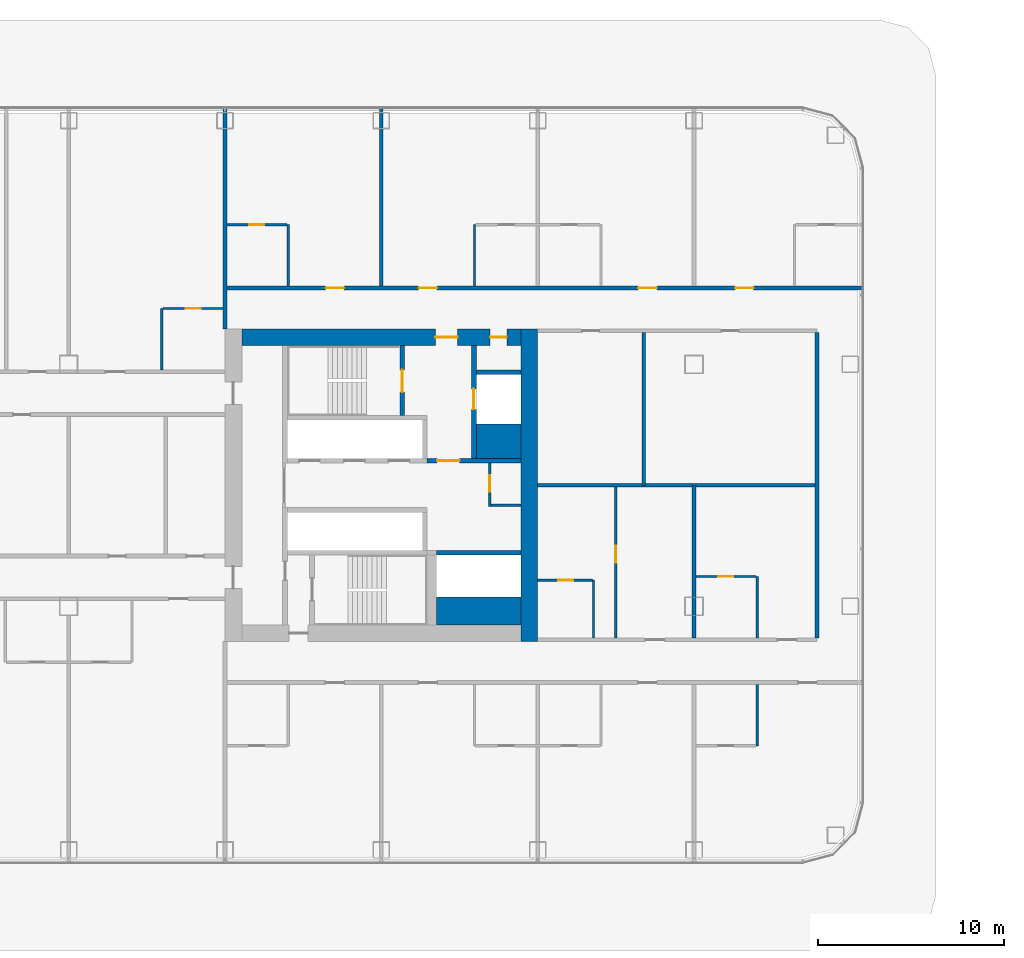
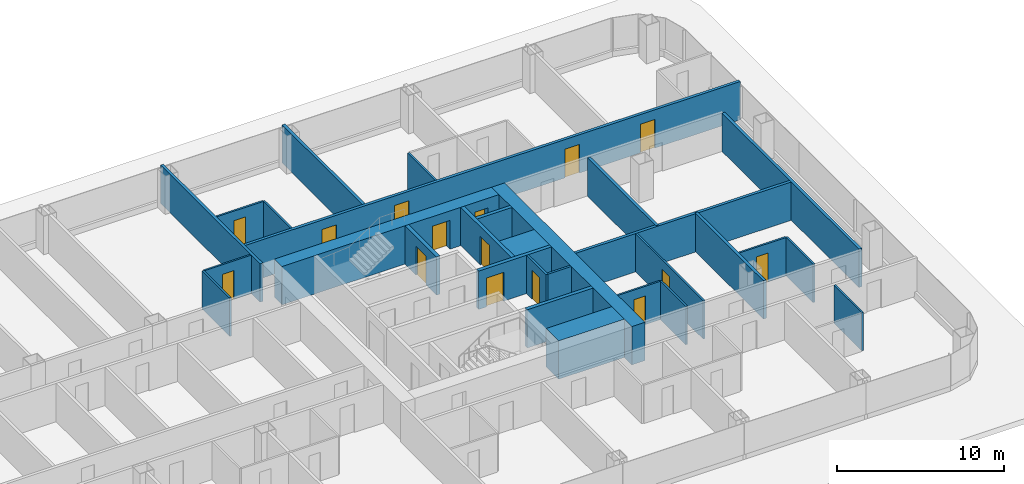
# One storey, part 26 of 42: 29 walls, 15 doors, 15 openings.
"""IFC4 building model written with IfcOpenShell, lengths in metres."""

import ifcopenshell
import ifcopenshell.guid

model = None  # the IFC model being written
_history = None  # IfcOwnerHistory: only IFC2X3 demands one
_inside = {}  # id of a spatial element -> (the spatial element, [elements in it])
_under = {}  # id of a project, library or spatial element -> (it, [spatial elements below it])
_declared = {}  # id of a project -> (the project, [libraries it declares])
_typed = {}  # id of a type object -> (the type object, [elements of that type])
_made_of = {}  # id of a material, layer set ... -> (it, [elements and type objects made of it])


def new_model(schema):
    """Start an empty IFC model of exactly this schema.

    Asked for "IFC4X3", IfcOpenShell would pick the latest addendum, in which some entities
    have other attributes; the version numbers below select the first issue.
    IFC2X3 requires an IfcOwnerHistory on every rooted entity: one is made here for all.
    """
    global model, _history
    if schema == "IFC4X3":
        model = ifcopenshell.file(schema_version=(4, 3, 0, 0))
    else:
        model = ifcopenshell.file(schema=schema)
    _inside.clear()
    _under.clear()
    _declared.clear()
    _typed.clear()
    _made_of.clear()
    _history = None
    if model.schema == "IFC2X3":
        org = make("IfcOrganization", Name="unknown")
        user = make(
            "IfcPersonAndOrganization",
            ThePerson=make("IfcPerson", FamilyName="unknown"),
            TheOrganization=org,
        )
        app = make(
            "IfcApplication",
            ApplicationDeveloper=org,
            Version="unknown",
            ApplicationFullName="unknown",
            ApplicationIdentifier="unknown",
        )
        _history = make(
            "IfcOwnerHistory",
            OwningUser=user,
            OwningApplication=app,
            ChangeAction="ADDED",
            CreationDate=0,
        )
    return model


def make(cls, **values):
    """One entity of the class cls with the attributes given. An attribute that is None is left unset."""
    return model.create_entity(
        cls, **{name: value for name, value in values.items() if value is not None}
    )


def rooted(cls, **values):
    """An entity with a GlobalId (a new one), such as an element, a storey or a relation."""
    return make(cls, GlobalId=ifcopenshell.guid.new(), OwnerHistory=_history, **values)


def si_unit(unit_type, name, prefix=None):
    """IfcSIUnit, for example si_unit("LENGTHUNIT", "METRE", prefix="MILLI")."""
    return make("IfcSIUnit", UnitType=unit_type, Prefix=prefix, Name=name)


def assignment(units):
    """IfcUnitAssignment: the units of a project."""
    return None if units is None else make("IfcUnitAssignment", Units=units)


def point(xyz):
    """IfcCartesianPoint."""
    return None if xyz is None else make("IfcCartesianPoint", Coordinates=xyz)


def direction(xyz):
    """IfcDirection."""
    return None if xyz is None else make("IfcDirection", DirectionRatios=xyz)


def frame(location, z_axis=None, x_axis=None):
    """IfcAxis2Placement3D, a coordinate frame: its origin and axes. An axis left out is left unset."""
    return make(
        "IfcAxis2Placement3D",
        Location=point(location),
        Axis=direction(z_axis),
        RefDirection=direction(x_axis),
    )


def frame_2d(location, x_axis=None):
    """IfcAxis2Placement2D, a coordinate frame in the plane: its origin and x axis."""
    return make(
        "IfcAxis2Placement2D", Location=point(location), RefDirection=direction(x_axis)
    )


def origin():
    """The frame at (0, 0, 0) with its axes left unset."""
    return frame((0.0, 0.0, 0.0))


def place(relative_to, where):
    """IfcLocalPlacement: puts the frame where relative to a parent placement (None: the world)."""
    return make(
        "IfcLocalPlacement", PlacementRelTo=relative_to, RelativePlacement=where
    )


def context(
    kind, dimensions, precision=None, world=None, true_north=None, identifier=None
):
    """IfcGeometricRepresentationContext, for example the 3D "Model" context."""
    return make(
        "IfcGeometricRepresentationContext",
        ContextIdentifier=identifier,
        ContextType=kind,
        CoordinateSpaceDimension=dimensions,
        Precision=precision,
        WorldCoordinateSystem=world,
        TrueNorth=true_north,
    )


def subcontext(parent, identifier, kind, view, scale=None):
    """IfcGeometricRepresentationSubContext, for example "Body" below "Model"."""
    return make(
        "IfcGeometricRepresentationSubContext",
        ContextIdentifier=identifier,
        ContextType=kind,
        ParentContext=parent,
        TargetScale=scale,
        TargetView=view,
    )


def project(units=None, contexts=None):
    """IfcProject with its units and contexts."""
    return rooted(
        "IfcProject",
        Name="project",
        RepresentationContexts=contexts,
        UnitsInContext=assignment(units),
    )


def spatial(cls, under=None, at=None, **own):
    """A site, building, storey or space (cls), placed at a placement, below another one or the project."""
    s = rooted(cls, ObjectPlacement=at, **own)
    if under is not None:
        _under.setdefault(under.id(), (under, []))[1].append(s)
    return s


def profile(cls, at=None, kind="AREA", **sizes):
    """A parametric profile (cls). Its sizes go by their IFC names, for example OverallWidth=200.0."""
    return make(cls, ProfileType=kind, Position=at, **sizes)


def rectangle(**sizes):
    """IfcRectangleProfileDef."""
    return profile("IfcRectangleProfileDef", **sizes)


def extrude(swept, where, along, depth):
    """IfcExtrudedAreaSolid: the profile swept, set in the frame where, extruded along a direction by depth."""
    return make(
        "IfcExtrudedAreaSolid",
        SweptArea=swept,
        Position=where,
        ExtrudedDirection=direction(along),
        Depth=depth,
    )


def shape(context_of_items, identifier, shape_type, items):
    """IfcShapeRepresentation: the items that make up one representation, for example the "Body"."""
    return make(
        "IfcShapeRepresentation",
        ContextOfItems=context_of_items,
        RepresentationIdentifier=identifier,
        RepresentationType=shape_type,
        Items=items,
    )


def material(Name=None, Category=None):
    """IfcMaterial."""
    return make("IfcMaterial", Name=Name, Category=Category)


def layer(
    of_material, thickness, ventilated=None, Name=None, Category=None, Priority=None
):
    """IfcMaterialLayer: one layer of a wall or slab, of a material (None: an air gap)."""
    return make(
        "IfcMaterialLayer",
        Material=of_material,
        LayerThickness=thickness,
        IsVentilated=ventilated,
        Name=Name,
        Category=Category,
        Priority=Priority,
    )


def layer_set(layers, Name=None):
    """IfcMaterialLayerSet."""
    return make("IfcMaterialLayerSet", MaterialLayers=layers, LayerSetName=Name)


def made_of(thing, what):
    """Note that an element or type object is made of a material, layer set ...; save() writes the relation."""
    if what is not None:
        _made_of.setdefault(what.id(), (what, []))[1].append(thing)
    return thing


def type_object(cls, material=None, **own):
    """A type object (cls), such as IfcWallType, which elements share."""
    return made_of(rooted(cls, **own), material)


def element(
    cls,
    number,
    at=None,
    inside=None,
    cuts=None,
    type_object=None,
    material=None,
    context=None,
    identifier="Body",
    shape_type=None,
    held_by="IfcProductDefinitionShape",
    body=None,
    shapes=None,
    **own,
):
    """One element of the class cls, such as IfcWall. Its Tag is "e" and its number.

    at: its placement. inside: the storey or other place that contains it. cuts: it is an
    opening in that element (IfcRelVoidsElement). A single representation is given by context,
    identifier, shape_type and body (its items); several are given by shapes. held_by: the class
    of the entity that holds the representations. save() writes the other relations.
    """
    e = rooted(cls, Tag="e%d" % number, ObjectPlacement=at, **own)
    if body is not None:
        shapes = [shape(context, identifier, shape_type, body)]
    if shapes is not None:
        e.Representation = make(held_by, Representations=shapes)
    if inside is not None:
        _inside.setdefault(inside.id(), (inside, []))[1].append(e)
    if cuts is not None:
        rooted(
            "IfcRelVoidsElement", RelatingBuildingElement=cuts, RelatedOpeningElement=e
        )
    if type_object is not None:
        _typed.setdefault(type_object.id(), (type_object, []))[1].append(e)
    return made_of(e, material)


def fill(opening, filler):
    """IfcRelFillsElement: the door or window that sits in an opening."""
    return rooted(
        "IfcRelFillsElement",
        RelatingOpeningElement=opening,
        RelatedBuildingElement=filler,
    )


def aggregate(whole, parts):
    """IfcRelAggregates: a whole, such as a stair, and the parts it consists of."""
    return rooted("IfcRelAggregates", RelatingObject=whole, RelatedObjects=parts)


def save(model, path):
    """Write the relations noted so far, then the file.

    IfcRelAggregates (storeys below a building ...), IfcRelContainedInSpatialStructure (elements
    in a storey), IfcRelDefinesByType, IfcRelAssociatesMaterial and IfcRelDeclares: one each for
    every whole, place, type object, material and project.
    """
    for whole, parts in _under.values():
        aggregate(whole, parts)
    for where, things in _inside.values():
        rooted(
            "IfcRelContainedInSpatialStructure",
            RelatedElements=things,
            RelatingStructure=where,
        )
    for kind, things in _typed.values():
        rooted("IfcRelDefinesByType", RelatedObjects=things, RelatingType=kind)
    for what, things in _made_of.values():
        rooted("IfcRelAssociatesMaterial", RelatedObjects=things, RelatingMaterial=what)
    for by, libraries in _declared.values():
        rooted("IfcRelDeclares", RelatingContext=by, RelatedDefinitions=libraries)
    model.write(path)


model = new_model("IFC4")

# Units and contexts
model_context = context("Model", 3, precision=1e-05, world=origin(), true_north=direction((0.0, 1.0)))
body_context = subcontext(model_context, "Body", "Model", "MODEL_VIEW")
ifc_project = project(units=[si_unit("LENGTHUNIT", "METRE"), si_unit("AREAUNIT", "SQUARE_METRE"), si_unit("VOLUMEUNIT", "CUBIC_METRE"), si_unit("PLANEANGLEUNIT", "RADIAN"), si_unit("MASSUNIT", "GRAM", prefix="KILO")], contexts=[model_context])

# Site, building, storey
site_placement = place(None, origin())
site = spatial("IfcSite", under=ifc_project, at=site_placement, CompositionType="ELEMENT")
building_placement = place(site_placement, origin())
building = spatial("IfcBuilding", under=site, at=building_placement, Name="Hakoniwa Tower and Hamabe Station Hall", CompositionType="ELEMENT")
storey_placement = place(building_placement, frame((0.0, 0.0, 19.800048828125)))
storey = spatial("IfcBuildingStorey", under=building, at=storey_placement, Name="L04", CompositionType="ELEMENT", Elevation=19.800048828125)

# Wall, opening, door
ifc_material_1 = material(Name="Gypsum board partition", Category="gypsum")
ifc_layer_1 = layer(ifc_material_1, 0.125)
ifc_layer_set_1 = layer_set([ifc_layer_1], Name="Bathroom Partition 125")
wall_type_1 = type_object("IfcWallType", Name="Bathroom Partition 125", PredefinedType="PARTITIONING", material=ifc_layer_set_1)
wall_1_placement = place(storey_placement, frame((33.60009765625, -5.10009765625, 0.0), z_axis=(0.0, 0.0, 1.0), x_axis=(1.0, 0.0, 0.0)))
wall_1 = element("IfcWall", 1, at=wall_1_placement, inside=storey, type_object=wall_type_1, Name="GW-L04-015", PredefinedType="PARTITIONING", context=body_context, shape_type="SweptSolid", body=[
    extrude(rectangle(XDim=2.9375, YDim=0.125, at=frame_2d((1.46875, 0.0))), origin(), (0.0, 0.0, 1.0), 2.800048828125),
])
opening_1_placement = place(wall_1_placement, frame((1.10009765625, 0.0, 0.0)))
opening_1 = element("IfcOpeningElement", 2, at=opening_1_placement, cuts=wall_1, Name="Opening GD-G1A0-29", PredefinedType="OPENING", context=body_context, shape_type="SweptSolid", body=[
    extrude(rectangle(XDim=0.800048828125, YDim=2.10009765625, at=frame_2d((0.39990234375, 1.050048828125))), frame((0.0, 0.072509765625, 0.0), z_axis=(0.0, -1.0, 0.0), x_axis=(1.0, 0.0, 0.0)), (0.0, 0.0, 1.0), 0.14501953125),
])
ifc_material_2 = material(Name="Timber door leaf", Category="wood")
door_type_1 = type_object("IfcDoorType", Name="Bathroom Door 800", OperationType="SINGLE_SWING_LEFT", PredefinedType="DOOR", material=ifc_material_2)
door_1_placement = place(opening_1_placement, origin())
door_1 = element("IfcDoor", 3, at=door_1_placement, inside=storey, type_object=door_type_1, Name="Door GD-G1A0-29", OperationType="SINGLE_SWING_RIGHT", OverallHeight=2.10009765625, OverallWidth=0.800048828125, PredefinedType="DOOR", context=body_context, shape_type="SweptSolid", body=[
    extrude(rectangle(XDim=0.800048828125, YDim=2.10009765625, at=frame_2d((0.39990234375, 1.050048828125))), frame((0.0, 0.02490234375, 0.0), z_axis=(0.0, -1.0, 0.0), x_axis=(1.0, 0.0, 0.0)), (0.0, 0.0, 1.0), 0.050048828125),
])
fill(opening_1, door_1)

wall_2_placement = place(storey_placement, frame((42.10009765625, -4.89990234375, 0.0), z_axis=(0.0, 0.0, 1.0), x_axis=(1.0, 0.0, 0.0)))
wall_2 = element("IfcWall", 4, at=wall_2_placement, inside=storey, type_object=wall_type_1, Name="GW-L04-017", PredefinedType="PARTITIONING", context=body_context, shape_type="SweptSolid", body=[
    extrude(rectangle(XDim=3.2373046875, YDim=0.125, at=frame_2d((1.61865234375, 0.0))), origin(), (0.0, 0.0, 1.0), 2.800048828125),
])
opening_2_placement = place(wall_2_placement, frame((1.199951171875, 0.0, 0.0)))
opening_2 = element("IfcOpeningElement", 5, at=opening_2_placement, cuts=wall_2, Name="Opening GD-G1A0-31", PredefinedType="OPENING", context=body_context, shape_type="SweptSolid", body=[
    extrude(rectangle(XDim=0.800048828125, YDim=2.10009765625, at=frame_2d((0.39990234375, 1.050048828125))), frame((0.0, 0.072509765625, 0.0), z_axis=(0.0, -1.0, 0.0), x_axis=(1.0, 0.0, 0.0)), (0.0, 0.0, 1.0), 0.14501953125),
])
door_2_placement = place(opening_2_placement, origin())
door_2 = element("IfcDoor", 6, at=door_2_placement, inside=storey, type_object=door_type_1, Name="Door GD-G1A0-31", OperationType="SINGLE_SWING_LEFT", OverallHeight=2.10009765625, OverallWidth=0.800048828125, PredefinedType="DOOR", context=body_context, shape_type="SweptSolid", body=[
    extrude(rectangle(XDim=0.800048828125, YDim=2.10009765625, at=frame_2d((0.39990234375, 1.050048828125))), frame((0.0, 0.02490234375, 0.0), z_axis=(0.0, -1.0, 0.0), x_axis=(1.0, 0.0, 0.0)), (0.0, 0.0, 1.0), 0.050048828125),
])
fill(opening_2, door_2)

wall_3_placement = place(storey_placement, frame((13.46240234375, 9.5, 0.0), z_axis=(0.0, 0.0, 1.0), x_axis=(1.0, 0.0, 0.0)))
wall_3 = element("IfcWall", 7, at=wall_3_placement, inside=storey, type_object=wall_type_1, Name="GW-L04-027", PredefinedType="PARTITIONING", context=body_context, shape_type="SweptSolid", body=[
    extrude(rectangle(XDim=3.237548828125, YDim=0.125, at=frame_2d((1.61865234375, 0.0))), origin(), (0.0, 0.0, 1.0), 2.800048828125),
])
opening_3_placement = place(wall_3_placement, frame((1.237548828125, 0.0, 0.0)))
opening_3 = element("IfcOpeningElement", 8, at=opening_3_placement, cuts=wall_3, Name="Opening GD-G1A0-51", PredefinedType="OPENING", context=body_context, shape_type="SweptSolid", body=[
    extrude(rectangle(XDim=0.800048828125, YDim=2.10009765625, at=frame_2d((0.39990234375, 1.050048828125))), frame((0.0, 0.072509765625, 0.0), z_axis=(0.0, -1.0, 0.0), x_axis=(1.0, 0.0, 0.0)), (0.0, 0.0, 1.0), 0.14501953125),
])
door_3_placement = place(opening_3_placement, origin())
door_3 = element("IfcDoor", 9, at=door_3_placement, inside=storey, type_object=door_type_1, Name="Door GD-G1A0-51", OperationType="SINGLE_SWING_LEFT", OverallHeight=2.10009765625, OverallWidth=0.800048828125, PredefinedType="DOOR", context=body_context, shape_type="SweptSolid", body=[
    extrude(rectangle(XDim=0.800048828125, YDim=2.10009765625, at=frame_2d((0.39990234375, 1.050048828125))), frame((0.0, 0.02490234375, 0.0), z_axis=(0.0, -1.0, 0.0), x_axis=(1.0, 0.0, 0.0)), (0.0, 0.0, 1.0), 0.050048828125),
])
fill(opening_3, door_3)

wall_4_placement = place(storey_placement, frame((16.89990234375, 14.0, 0.0), z_axis=(0.0, 0.0, 1.0), x_axis=(1.0, 0.0, 0.0)))
wall_4 = element("IfcWall", 10, at=wall_4_placement, inside=storey, type_object=wall_type_1, Name="GW-L04-033", PredefinedType="PARTITIONING", context=body_context, shape_type="SweptSolid", body=[
    extrude(rectangle(XDim=3.237548828125, YDim=0.125, at=frame_2d((1.61865234375, 0.0))), origin(), (0.0, 0.0, 1.0), 2.800048828125),
])
opening_4_placement = place(wall_4_placement, frame((1.199951171875, 0.0, 0.0)))
opening_4 = element("IfcOpeningElement", 11, at=opening_4_placement, cuts=wall_4, Name="Opening GD-G1A0-64", PredefinedType="OPENING", context=body_context, shape_type="SweptSolid", body=[
    extrude(rectangle(XDim=0.800048828125, YDim=2.10009765625, at=frame_2d((0.39990234375, 1.050048828125))), frame((0.0, 0.072509765625, 0.0), z_axis=(0.0, -1.0, 0.0), x_axis=(1.0, 0.0, 0.0)), (0.0, 0.0, 1.0), 0.14501953125),
])
door_4_placement = place(opening_4_placement, origin())
door_4 = element("IfcDoor", 12, at=door_4_placement, inside=storey, type_object=door_type_1, Name="Door GD-G1A0-64", OperationType="SINGLE_SWING_LEFT", OverallHeight=2.10009765625, OverallWidth=0.800048828125, PredefinedType="DOOR", context=body_context, shape_type="SweptSolid", body=[
    extrude(rectangle(XDim=0.800048828125, YDim=2.10009765625, at=frame_2d((0.39990234375, 1.050048828125))), frame((0.0, 0.02490234375, 0.0), z_axis=(0.0, -1.0, 0.0), x_axis=(1.0, 0.0, 0.0)), (0.0, 0.0, 1.0), 0.050048828125),
])
fill(opening_4, door_4)

# Walls
for number, where, z_axis, x_axis, name in (
    (13, (13.39990234375, 6.199951171875, 0.0), (0.0, 0.0, 1.0), (0.0, 1.0, 0.0), "GW-L04-075"),
    (14, (20.199951171875, 10.699951171875, 0.0), (0.0, 0.0, 1.0), (0.0, 1.0, 0.0), "GW-L04-080"),
    (15, (30.199951171875, 10.699951171875, 0.0), (0.0, 0.0, 1.0), (0.0, 1.0, 0.0), "GW-L04-084"),
):
    element("IfcWall", number, at=place(storey_placement, frame(where, z_axis=z_axis, x_axis=x_axis)), inside=storey, type_object=wall_type_1, Name=name, PredefinedType="PARTITIONING", context=body_context, shape_type="SweptSolid", body=[
        extrude(rectangle(XDim=3.300048828125, YDim=0.125, at=frame_2d((1.64990234375, 0.0))), origin(), (0.0, 0.0, 1.0), 2.800048828125),
    ])
wall_5_placement = place(storey_placement, frame((36.60009765625, -8.199951171875, 0.0), z_axis=(0.0, 0.0, 1.0), x_axis=(0.0, 1.0, 0.0)))
element("IfcWall", 16, at=wall_5_placement, inside=storey, type_object=wall_type_1, Name="GW-L04-087", PredefinedType="PARTITIONING", context=body_context, shape_type="SweptSolid", body=[
    extrude(rectangle(XDim=3.099853515625, YDim=0.125, at=frame_2d((1.5498046875, 0.0))), origin(), (0.0, 0.0, 1.0), 2.800048828125),
])
for number, where, z_axis, x_axis, name in (
    (17, (45.39990234375, -14.0, 0.0), (0.0, 0.0, 1.0), (0.0, 1.0, 0.0), "GW-L04-095"),
    (18, (45.39990234375, -8.199951171875, 0.0), (0.0, 0.0, 1.0), (0.0, 1.0, 0.0), "GW-L04-096"),
):
    element("IfcWall", number, at=place(storey_placement, frame(where, z_axis=z_axis, x_axis=x_axis)), inside=storey, type_object=wall_type_1, Name=name, PredefinedType="PARTITIONING", context=body_context, shape_type="SweptSolid", body=[
        extrude(rectangle(XDim=3.300048828125, YDim=0.125, at=frame_2d((1.64990234375, 0.0))), origin(), (0.0, 0.0, 1.0), 2.800048828125),
    ])

# Wall, opening, door
ifc_material_3 = material(Name="Gypsum board partition")
ifc_layer_2 = layer(ifc_material_3, 0.14990234375)
ifc_layer_set_2 = layer_set([ifc_layer_2], Name="CORE PARTITION 150 EI 60")
wall_type_2 = type_object("IfcWallType", Name="CORE PARTITION 150 EI 60", PredefinedType="PARTITIONING", material=ifc_layer_set_2)
wall_6_placement = place(storey_placement, frame((31.02490234375, -1.14990234375, 0.0), z_axis=(0.0, 0.0, 1.0), x_axis=(0.0, 1.0, 0.0)))
wall_6 = element("IfcWall", 19, at=wall_6_placement, inside=storey, type_object=wall_type_2, Name="Core partition PW0 east", PredefinedType="PARTITIONING", context=body_context, shape_type="SweptSolid", body=[
    extrude(rectangle(XDim=2.349853515625, YDim=0.14990234375, at=frame_2d((1.1748046875, 0.0))), origin(), (0.0, 0.0, 1.0), 2.800048828125),
])
opening_5_placement = place(wall_6_placement, frame((0.800048828125, 0.0, 0.0)))
opening_5 = element("IfcOpeningElement", 20, at=opening_5_placement, cuts=wall_6, Name="Opening CD-E-RM1-9", PredefinedType="OPENING", context=body_context, shape_type="SweptSolid", body=[
    extrude(rectangle(XDim=0.89990234375, YDim=2.10009765625, at=frame_2d((0.449951171875, 1.050048828125))), frame((0.0, 0.0849609375, 0.0), z_axis=(0.0, -1.0, 0.0), x_axis=(1.0, 0.0, 0.0)), (0.0, 0.0, 1.0), 0.169921875),
])
ifc_material_4 = material(Name="Steel fire door", Category="steel")
door_type_2 = type_object("IfcDoorType", Name="CORE DOOR 900 FD30", OperationType="NOTDEFINED", PredefinedType="DOOR", material=ifc_material_4)
door_5_placement = place(opening_5_placement, origin())
door_5 = element("IfcDoor", 21, at=door_5_placement, inside=storey, type_object=door_type_2, Name="Store room door", OperationType="SINGLE_SWING_LEFT", OverallHeight=2.10009765625, OverallWidth=0.89990234375, PredefinedType="DOOR", context=body_context, shape_type="SweptSolid", body=[
    extrude(rectangle(XDim=0.89990234375, YDim=2.10009765625, at=frame_2d((0.449951171875, 1.050048828125))), frame((0.0, 0.02490234375, 0.0), z_axis=(0.0, -1.0, 0.0), x_axis=(1.0, 0.0, 0.0)), (0.0, 0.0, 1.0), 0.050048828125),
])
fill(opening_5, door_5)

# Walls
wall_7_placement = place(storey_placement, frame((31.10009765625, -1.074951171875, 0.0), z_axis=(0.0, 0.0, 1.0), x_axis=(1.0, 0.0, 0.0)))
element("IfcWall", 22, at=wall_7_placement, inside=storey, type_object=wall_type_2, Name="Core partition PS east", PredefinedType="PARTITIONING", context=body_context, shape_type="SweptSolid", body=[
    extrude(rectangle(XDim=1.599853515625, YDim=0.14990234375, at=frame_2d((0.7998046875, 0.0))), origin(), (0.0, 0.0, 1.0), 2.800048828125),
])
ifc_material_5 = material(Name="Concrete C80", Category="concrete")
ifc_layer_3 = layer(ifc_material_5, 0.89990234375)
ifc_layer_set_3 = layer_set([ifc_layer_3], Name="CORE WALL 900 C80")
wall_type_3 = type_object("IfcWallType", Name="CORE WALL 900 C80", PredefinedType="SHEAR", material=ifc_layer_set_3)
wall_8_placement = place(storey_placement, frame((33.14990234375, -8.39990234375, 0.0), z_axis=(0.0, 0.0, 1.0), x_axis=(0.0, 1.0, 0.0)))
element("IfcWall", 23, at=wall_8_placement, inside=storey, type_object=wall_type_3, Name="Core wall OUTER east", PredefinedType="SHEAR", context=body_context, shape_type="SweptSolid", body=[
    extrude(rectangle(XDim=16.7998046875, YDim=0.89990234375, at=frame_2d((8.39990234375, 0.0))), origin(), (0.0, 0.0, 1.0), 2.800048828125),
])

# Wall, openings, doors
wall_9_placement = place(storey_placement, frame((17.699951171875, 7.949951171875, 0.0), z_axis=(0.0, 0.0, 1.0), x_axis=(1.0, 0.0, 0.0)))
wall_9 = element("IfcWall", 24, at=wall_9_placement, inside=storey, type_object=wall_type_3, Name="Core wall NORTH east", PredefinedType="SHEAR", context=body_context, shape_type="SweptSolid", body=[
    extrude(rectangle(XDim=15.0, YDim=0.89990234375, at=frame_2d((7.5, 0.0))), origin(), (0.0, 0.0, 1.0), 2.800048828125),
])
opening_6_placement = place(wall_9_placement, frame((10.39990234375, 0.0, 0.0)))
opening_6 = element("IfcOpeningElement", 25, at=opening_6_placement, cuts=wall_9, Name="Opening CD-E-FN1-12", PredefinedType="OPENING", context=body_context, shape_type="SweptSolid", body=[
    extrude(rectangle(XDim=1.199951171875, YDim=2.10009765625, at=frame_2d((0.60009765625, 1.050048828125))), frame((0.0, 0.4599609375, 0.0), z_axis=(0.0, -1.0, 0.0), x_axis=(1.0, 0.0, 0.0)), (0.0, 0.0, 1.0), 0.919921875),
])
opening_7_placement = place(wall_9_placement, frame((13.35009765625, 0.0, 0.0)))
opening_7 = element("IfcOpeningElement", 26, at=opening_7_placement, cuts=wall_9, Name="Opening CD-E-FN2-9", PredefinedType="OPENING", context=body_context, shape_type="SweptSolid", body=[
    extrude(rectangle(XDim=0.89990234375, YDim=2.10009765625, at=frame_2d((0.449951171875, 1.050048828125))), frame((0.0, 0.4599609375, 0.0), z_axis=(0.0, -1.0, 0.0), x_axis=(1.0, 0.0, 0.0)), (0.0, 0.0, 1.0), 0.919921875),
])
ifc_material_6 = material(Name="Steel fire door", Category="steel")
door_type_3 = type_object("IfcDoorType", Name="CORE DOOR 1200 FD60", OperationType="DOUBLE_DOOR_SINGLE_SWING", PredefinedType="DOOR", material=ifc_material_6)
door_6_placement = place(opening_6_placement, origin())
door_6 = element("IfcDoor", 27, at=door_6_placement, inside=storey, type_object=door_type_3, Name="Stair vestibule door to the fire-fighting lobby", OperationType="DOUBLE_DOOR_SINGLE_SWING", OverallHeight=2.10009765625, OverallWidth=1.199951171875, PredefinedType="DOOR", context=body_context, shape_type="SweptSolid", body=[
    extrude(rectangle(XDim=1.199951171875, YDim=2.10009765625, at=frame_2d((0.60009765625, 1.050048828125))), frame((0.0, 0.02490234375, 0.0), z_axis=(0.0, -1.0, 0.0), x_axis=(1.0, 0.0, 0.0)), (0.0, 0.0, 1.0), 0.050048828125),
])
fill(opening_6, door_6)
door_7_placement = place(opening_7_placement, origin())
door_7 = element("IfcDoor", 28, at=door_7_placement, inside=storey, type_object=door_type_2, Name="Riser access door", OperationType="SINGLE_SWING_LEFT", OverallHeight=2.10009765625, OverallWidth=0.89990234375, PredefinedType="DOOR", context=body_context, shape_type="SweptSolid", body=[
    extrude(rectangle(XDim=0.89990234375, YDim=2.10009765625, at=frame_2d((0.449951171875, 1.050048828125))), frame((0.0, 0.02490234375, 0.0), z_axis=(0.0, -1.0, 0.0), x_axis=(1.0, 0.0, 0.0)), (0.0, 0.0, 1.0), 0.050048828125),
])
fill(opening_7, door_7)

# Walls
ifc_material_7 = material(Name="Concrete C80", Category="concrete")
ifc_layer_4 = layer(ifc_material_7, 1.5)
ifc_layer_set_4 = layer_set([ifc_layer_4], Name="CORE WEB WALL 1500 C80")
wall_type_4 = type_object("IfcWallType", Name="CORE WEB WALL 1500 C80", PredefinedType="SHEAR", material=ifc_layer_set_4)
wall_10_placement = place(storey_placement, frame((28.14990234375, -6.75, 0.0), z_axis=(0.0, 0.0, 1.0), x_axis=(1.0, 0.0, 0.0)))
element("IfcWall", 29, at=wall_10_placement, inside=storey, type_object=wall_type_4, Name="Core wall SER east", PredefinedType="SHEAR", context=body_context, shape_type="SweptSolid", body=[
    extrude(rectangle(XDim=4.550048828125, YDim=1.5, at=frame_2d((2.27490234375, 0.0))), origin(), (0.0, 0.0, 1.0), 2.800048828125),
])
ifc_material_8 = material(Name="Concrete C80", Category="concrete")
ifc_layer_5 = layer(ifc_material_8, 1.85009765625)
ifc_layer_set_5 = layer_set([ifc_layer_5], Name="CORE WEB WALL 1850 C80")
wall_type_5 = type_object("IfcWallType", Name="CORE WEB WALL 1850 C80", PredefinedType="SHEAR", material=ifc_layer_set_5)
wall_11_placement = place(storey_placement, frame((30.300048828125, 2.375, 0.0), z_axis=(0.0, 0.0, 1.0), x_axis=(1.0, 0.0, 0.0)))
element("IfcWall", 30, at=wall_11_placement, inside=storey, type_object=wall_type_5, Name="Core wall CA east", PredefinedType="SHEAR", context=body_context, shape_type="SweptSolid", body=[
    extrude(rectangle(XDim=2.39990234375, YDim=1.85009765625, at=frame_2d((1.199951171875, 0.0))), origin(), (0.0, 0.0, 1.0), 2.800048828125),
])

# Wall, opening, door
ifc_material_9 = material(Name="Concrete C80", Category="concrete")
ifc_layer_6 = layer(ifc_material_9, 0.25)
ifc_layer_set_6 = layer_set([ifc_layer_6], Name="CORE WEB WALL 250 C80")
wall_type_6 = type_object("IfcWallType", Name="CORE WEB WALL 250 C80", PredefinedType="SHEAR", material=ifc_layer_set_6)
wall_12_placement = place(storey_placement, frame((26.324951171875, 3.75, 0.0), z_axis=(0.0, 0.0, 1.0), x_axis=(0.0, 1.0, 0.0)))
wall_12 = element("IfcWall", 31, at=wall_12_placement, inside=storey, type_object=wall_type_6, Name="Core wall NSE east", PredefinedType="SHEAR", context=body_context, shape_type="SweptSolid", body=[
    extrude(rectangle(XDim=3.75, YDim=0.25, at=frame_2d((1.875, 0.0))), origin(), (0.0, 0.0, 1.0), 2.800048828125),
])
opening_8_placement = place(wall_12_placement, frame((1.25, 0.0, 0.0)))
opening_8 = element("IfcOpeningElement", 32, at=opening_8_placement, cuts=wall_12, Name="Opening CD-E-SN-12", PredefinedType="OPENING", context=body_context, shape_type="SweptSolid", body=[
    extrude(rectangle(XDim=1.199951171875, YDim=2.10009765625, at=frame_2d((0.60009765625, 1.050048828125))), frame((0.0, 0.135009765625, 0.0), z_axis=(0.0, -1.0, 0.0), x_axis=(1.0, 0.0, 0.0)), (0.0, 0.0, 1.0), 0.27001953125),
])
door_8_placement = place(opening_8_placement, origin())
door_8 = element("IfcDoor", 33, at=door_8_placement, inside=storey, type_object=door_type_3, Name="Escape stair door", OperationType="DOUBLE_DOOR_SINGLE_SWING", OverallHeight=2.10009765625, OverallWidth=1.199951171875, PredefinedType="DOOR", context=body_context, shape_type="SweptSolid", body=[
    extrude(rectangle(XDim=1.199951171875, YDim=2.10009765625, at=frame_2d((0.60009765625, 1.050048828125))), frame((0.0, 0.02490234375, 0.0), z_axis=(0.0, -1.0, 0.0), x_axis=(1.0, 0.0, 0.0)), (0.0, 0.0, 1.0), 0.050048828125),
])
fill(opening_8, door_8)

wall_13_placement = place(storey_placement, frame((27.64990234375, 1.324951171875, 0.0), z_axis=(0.0, 0.0, 1.0), x_axis=(1.0, 0.0, 0.0)))
wall_13 = element("IfcWall", 34, at=wall_13_placement, inside=storey, type_object=wall_type_6, Name="Core wall ELN east", PredefinedType="SHEAR", context=body_context, shape_type="SweptSolid", body=[
    extrude(rectangle(XDim=5.050048828125, YDim=0.25, at=frame_2d((2.52490234375, 0.0))), origin(), (0.0, 0.0, 1.0), 2.800048828125),
])
opening_9_placement = place(wall_13_placement, frame((0.550048828125, 0.0, 0.0)))
opening_9 = element("IfcOpeningElement", 35, at=opening_9_placement, cuts=wall_13, Name="Opening CD-E-FL-12", PredefinedType="OPENING", context=body_context, shape_type="SweptSolid", body=[
    extrude(rectangle(XDim=1.199951171875, YDim=2.10009765625, at=frame_2d((0.60009765625, 1.050048828125))), frame((0.0, 0.135009765625, 0.0), z_axis=(0.0, -1.0, 0.0), x_axis=(1.0, 0.0, 0.0)), (0.0, 0.0, 1.0), 0.27001953125),
])
door_9_placement = place(opening_9_placement, origin())
door_9 = element("IfcDoor", 36, at=door_9_placement, inside=storey, type_object=door_type_3, Name="Stair vestibule door to the fire-fighting lobby", OperationType="DOUBLE_DOOR_SINGLE_SWING", OverallHeight=2.10009765625, OverallWidth=1.199951171875, PredefinedType="DOOR", context=body_context, shape_type="SweptSolid", body=[
    extrude(rectangle(XDim=1.199951171875, YDim=2.10009765625, at=frame_2d((0.60009765625, 1.050048828125))), frame((0.0, 0.02490234375, 0.0), z_axis=(0.0, -1.0, 0.0), x_axis=(1.0, 0.0, 0.0)), (0.0, 0.0, 1.0), 0.050048828125),
])
fill(opening_9, door_9)

wall_14_placement = place(storey_placement, frame((30.175048828125, 1.449951171875, 0.0), z_axis=(0.0, 0.0, 1.0), x_axis=(0.0, 1.0, 0.0)))
wall_14 = element("IfcWall", 37, at=wall_14_placement, inside=storey, type_object=wall_type_6, Name="Core wall FFF east", PredefinedType="SHEAR", context=body_context, shape_type="SweptSolid", body=[
    extrude(rectangle(XDim=6.050048828125, YDim=0.25, at=frame_2d((3.02490234375, 0.0))), origin(), (0.0, 0.0, 1.0), 2.800048828125),
])
opening_10_placement = place(wall_14_placement, frame((2.625, 0.0, 0.0)))
opening_10 = element("IfcOpeningElement", 38, at=opening_10_placement, cuts=wall_14, Name="Opening LD-FF2", PredefinedType="OPENING", context=body_context, shape_type="SweptSolid", body=[
    extrude(rectangle(XDim=1.10009765625, YDim=2.10009765625, at=frame_2d((0.550048828125, 1.050048828125))), frame((0.0, 0.135009765625, 0.0), z_axis=(0.0, -1.0, 0.0), x_axis=(1.0, 0.0, 0.0)), (0.0, 0.0, 1.0), 0.27001953125),
])
ifc_material_10 = material(Name="Stainless steel SUS304", Category="steel")
door_type_4 = type_object("IfcDoorType", Name="LIFT LANDING DOOR 1100 FD60", OperationType="DOUBLE_DOOR_SLIDING", PredefinedType="DOOR", material=ifc_material_10)
door_10_placement = place(opening_10_placement, origin())
door_10 = element("IfcDoor", 39, at=door_10_placement, inside=storey, type_object=door_type_4, Name="Lift landing door FF2 L04", OperationType="DOUBLE_DOOR_SLIDING", OverallHeight=2.10009765625, OverallWidth=1.10009765625, PredefinedType="DOOR", context=body_context, shape_type="SweptSolid", body=[
    extrude(rectangle(XDim=1.10009765625, YDim=2.10009765625, at=frame_2d((0.550048828125, 1.050048828125))), frame((0.0, 0.02490234375, 0.0), z_axis=(0.0, -1.0, 0.0), x_axis=(1.0, 0.0, 0.0)), (0.0, 0.0, 1.0), 0.050048828125),
])
fill(opening_10, door_10)

# Walls
wall_15_placement = place(storey_placement, frame((30.300048828125, 6.074951171875, 0.0), z_axis=(0.0, 0.0, 1.0), x_axis=(1.0, 0.0, 0.0)))
element("IfcWall", 40, at=wall_15_placement, inside=storey, type_object=wall_type_6, Name="Core wall C2 east", PredefinedType="SHEAR", context=body_context, shape_type="SweptSolid", body=[
    extrude(rectangle(XDim=2.39990234375, YDim=0.25, at=frame_2d((1.199951171875, 0.0))), origin(), (0.0, 0.0, 1.0), 2.800048828125),
])
wall_16_placement = place(storey_placement, frame((28.14990234375, -3.625, 0.0), z_axis=(0.0, 0.0, 1.0), x_axis=(1.0, 0.0, 0.0)))
element("IfcWall", 41, at=wall_16_placement, inside=storey, type_object=wall_type_6, Name="Core wall SEF east", PredefinedType="SHEAR", context=body_context, shape_type="SweptSolid", body=[
    extrude(rectangle(XDim=4.550048828125, YDim=0.25, at=frame_2d((2.27490234375, 0.0))), origin(), (0.0, 0.0, 1.0), 2.800048828125),
])

# Wall, openings, doors
ifc_material_11 = material(Name="Fire-rated gypsum board partition", Category="gypsum")
ifc_layer_7 = layer(ifc_material_11, 0.199951171875)
ifc_layer_set_7 = layer_set([ifc_layer_7], Name="Corridor Wall 200")
wall_type_7 = type_object("IfcWallType", Name="Corridor Wall 200", PredefinedType="PARTITIONING", material=ifc_layer_set_7)
wall_17_placement = place(storey_placement, frame((16.800048828125, 10.60009765625, 0.0), z_axis=(0.0, 0.0, 1.0), x_axis=(1.0, 0.0, 0.0)))
wall_17 = element("IfcWall", 42, at=wall_17_placement, inside=storey, type_object=wall_type_7, Name="GW-L04-029", PredefinedType="PARTITIONING", context=body_context, shape_type="SweptSolid", body=[
    extrude(rectangle(XDim=34.300048828125, YDim=0.199951171875, at=frame_2d((17.14990234375, 0.0))), origin(), (0.0, 0.0, 1.0), 2.800048828125),
])
opening_11_placement = place(wall_17_placement, frame((5.39990234375, 0.0, 0.0)))
opening_11 = element("IfcOpeningElement", 43, at=opening_11_placement, cuts=wall_17, Name="Opening GD-G1A0-56", PredefinedType="OPENING", context=body_context, shape_type="SweptSolid", body=[
    extrude(rectangle(XDim=1.0, YDim=2.10009765625, at=frame_2d((0.5, 1.050048828125))), frame((0.0, 0.10986328125, 0.0), z_axis=(0.0, -1.0, 0.0), x_axis=(1.0, 0.0, 0.0)), (0.0, 0.0, 1.0), 0.219970703125),
])
opening_12_placement = place(wall_17_placement, frame((10.39990234375, 0.0, 0.0)))
opening_12 = element("IfcOpeningElement", 44, at=opening_12_placement, cuts=wall_17, Name="Opening GD-G1A0-57", PredefinedType="OPENING", context=body_context, shape_type="SweptSolid", body=[
    extrude(rectangle(XDim=1.0, YDim=2.10009765625, at=frame_2d((0.5, 1.050048828125))), frame((0.0, 0.10986328125, 0.0), z_axis=(0.0, -1.0, 0.0), x_axis=(1.0, 0.0, 0.0)), (0.0, 0.0, 1.0), 0.219970703125),
])
opening_13_placement = place(wall_17_placement, frame((22.199951171875, 0.0, 0.0)))
opening_13 = element("IfcOpeningElement", 45, at=opening_13_placement, cuts=wall_17, Name="Opening GD-G1A0-58", PredefinedType="OPENING", context=body_context, shape_type="SweptSolid", body=[
    extrude(rectangle(XDim=1.0, YDim=2.10009765625, at=frame_2d((0.5, 1.050048828125))), frame((0.0, 0.10986328125, 0.0), z_axis=(0.0, -1.0, 0.0), x_axis=(1.0, 0.0, 0.0)), (0.0, 0.0, 1.0), 0.219970703125),
])
opening_14_placement = place(wall_17_placement, frame((27.39990234375, 0.0, 0.0)))
opening_14 = element("IfcOpeningElement", 46, at=opening_14_placement, cuts=wall_17, Name="Opening GD-G1A0-59", PredefinedType="OPENING", context=body_context, shape_type="SweptSolid", body=[
    extrude(rectangle(XDim=1.0, YDim=2.10009765625, at=frame_2d((0.5, 1.050048828125))), frame((0.0, 0.10986328125, 0.0), z_axis=(0.0, -1.0, 0.0), x_axis=(1.0, 0.0, 0.0)), (0.0, 0.0, 1.0), 0.219970703125),
])
ifc_material_12 = material(Name="Timber door leaf", Category="wood")
door_type_5 = type_object("IfcDoorType", Name="Guest Entrance Door 1000", OperationType="SINGLE_SWING_LEFT", PredefinedType="DOOR", material=ifc_material_12)
door_11_placement = place(opening_11_placement, origin())
door_11 = element("IfcDoor", 47, at=door_11_placement, inside=storey, type_object=door_type_5, Name="Door GD-G1A0-56", OperationType="SINGLE_SWING_LEFT", OverallHeight=2.10009765625, OverallWidth=1.0, PredefinedType="DOOR", context=body_context, shape_type="SweptSolid", body=[
    extrude(rectangle(XDim=1.0, YDim=2.10009765625, at=frame_2d((0.5, 1.050048828125))), frame((0.0, 0.02490234375, 0.0), z_axis=(0.0, -1.0, 0.0), x_axis=(1.0, 0.0, 0.0)), (0.0, 0.0, 1.0), 0.050048828125),
])
fill(opening_11, door_11)
door_12_placement = place(opening_12_placement, origin())
door_12 = element("IfcDoor", 48, at=door_12_placement, inside=storey, type_object=door_type_5, Name="Door GD-G1A0-57", OperationType="SINGLE_SWING_RIGHT", OverallHeight=2.10009765625, OverallWidth=1.0, PredefinedType="DOOR", context=body_context, shape_type="SweptSolid", body=[
    extrude(rectangle(XDim=1.0, YDim=2.10009765625, at=frame_2d((0.5, 1.050048828125))), frame((0.0, 0.02490234375, 0.0), z_axis=(0.0, -1.0, 0.0), x_axis=(1.0, 0.0, 0.0)), (0.0, 0.0, 1.0), 0.050048828125),
])
fill(opening_12, door_12)
door_13_placement = place(opening_13_placement, origin())
door_13 = element("IfcDoor", 49, at=door_13_placement, inside=storey, type_object=door_type_5, Name="Door GD-G1A0-58", OperationType="SINGLE_SWING_LEFT", OverallHeight=2.10009765625, OverallWidth=1.0, PredefinedType="DOOR", context=body_context, shape_type="SweptSolid", body=[
    extrude(rectangle(XDim=1.0, YDim=2.10009765625, at=frame_2d((0.5, 1.050048828125))), frame((0.0, 0.02490234375, 0.0), z_axis=(0.0, -1.0, 0.0), x_axis=(1.0, 0.0, 0.0)), (0.0, 0.0, 1.0), 0.050048828125),
])
fill(opening_13, door_13)
door_14_placement = place(opening_14_placement, origin())
door_14 = element("IfcDoor", 50, at=door_14_placement, inside=storey, type_object=door_type_5, Name="Door GD-G1A0-59", OperationType="SINGLE_SWING_RIGHT", OverallHeight=2.10009765625, OverallWidth=1.0, PredefinedType="DOOR", context=body_context, shape_type="SweptSolid", body=[
    extrude(rectangle(XDim=1.0, YDim=2.10009765625, at=frame_2d((0.5, 1.050048828125))), frame((0.0, 0.02490234375, 0.0), z_axis=(0.0, -1.0, 0.0), x_axis=(1.0, 0.0, 0.0)), (0.0, 0.0, 1.0), 0.050048828125),
])
fill(opening_14, door_14)

# Walls
ifc_material_13 = material(Name="Fire-rated gypsum board partition", Category="gypsum")
ifc_layer_8 = layer(ifc_material_13, 0.199951171875)
ifc_layer_set_8 = layer_set([ifc_layer_8], Name="Party Wall 200")
wall_type_8 = type_object("IfcWallType", Name="Party Wall 200", PredefinedType="PARTITIONING", material=ifc_layer_set_8)
wall_18_placement = place(storey_placement, frame((33.60009765625, 0.0, 0.0), z_axis=(0.0, 0.0, 1.0), x_axis=(1.0, 0.0, 0.0)))
element("IfcWall", 51, at=wall_18_placement, inside=storey, type_object=wall_type_8, Name="GW-L04-020", PredefinedType="PARTITIONING", context=body_context, shape_type="SweptSolid", body=[
    extrude(rectangle(XDim=14.89990234375, YDim=0.199951171875, at=frame_2d((7.449951171875, 0.0))), origin(), (0.0, 0.0, 1.0), 2.800048828125),
])
wall_19_placement = place(storey_placement, frame((16.800048828125, 8.389892578125, 0.0), z_axis=(0.0, 0.0, 1.0), x_axis=(0.0, 1.0, 0.0)))
element("IfcWall", 52, at=wall_19_placement, inside=storey, type_object=wall_type_8, Name="GW-L04-078", PredefinedType="PARTITIONING", context=body_context, shape_type="SweptSolid", body=[
    extrude(rectangle(XDim=11.91015625, YDim=0.199951171875, at=frame_2d((5.955078125, 0.0))), origin(), (0.0, 0.0, 1.0), 2.800048828125),
])
wall_20_placement = place(storey_placement, frame((25.199951171875, 10.699951171875, 0.0), z_axis=(0.0, 0.0, 1.0), x_axis=(0.0, 1.0, 0.0)))
element("IfcWall", 53, at=wall_20_placement, inside=storey, type_object=wall_type_8, Name="GW-L04-082", PredefinedType="PARTITIONING", context=body_context, shape_type="SweptSolid", body=[
    extrude(rectangle(XDim=9.60009765625, YDim=0.199951171875, at=frame_2d((4.800048828125, 0.0))), origin(), (0.0, 0.0, 1.0), 2.800048828125),
])
for number, where, z_axis, x_axis, name in (
    (54, (39.300048828125, 0.0, 0.0), (0.0, 0.0, 1.0), (0.0, 1.0, 0.0), "GW-L04-091"),
    (55, (42.0, -8.199951171875, 0.0), (0.0, 0.0, 1.0), (0.0, 1.0, 0.0), "GW-L04-093"),
):
    element("IfcWall", number, at=place(storey_placement, frame(where, z_axis=z_axis, x_axis=x_axis)), inside=storey, type_object=wall_type_8, Name=name, PredefinedType="PARTITIONING", context=body_context, shape_type="SweptSolid", body=[
        extrude(rectangle(XDim=8.199951171875, YDim=0.199951171875, at=frame_2d((4.10009765625, 0.0))), origin(), (0.0, 0.0, 1.0), 2.800048828125),
    ])
wall_21_placement = place(storey_placement, frame((48.60009765625, -8.199951171875, 0.0), z_axis=(0.0, 0.0, 1.0), x_axis=(0.0, 1.0, 0.0)))
element("IfcWall", 56, at=wall_21_placement, inside=storey, type_object=wall_type_8, Name="GW-L04-098", PredefinedType="PARTITIONING", context=body_context, shape_type="SweptSolid", body=[
    extrude(rectangle(XDim=16.39990234375, YDim=0.199951171875, at=frame_2d((8.199951171875, 0.0))), origin(), (0.0, 0.0, 1.0), 2.800048828125),
])

# Wall, opening, door
ifc_material_14 = material(Name="Gypsum board partition", Category="gypsum")
ifc_layer_9 = layer(ifc_material_14, 0.125)
ifc_layer_set_9 = layer_set([ifc_layer_9], Name="Room Partition 125")
wall_type_9 = type_object("IfcWallType", Name="Room Partition 125", PredefinedType="PARTITIONING", material=ifc_layer_set_9)
wall_22_placement = place(storey_placement, frame((37.800048828125, -8.199951171875, 0.0), z_axis=(0.0, 0.0, 1.0), x_axis=(0.0, 1.0, 0.0)))
wall_22 = element("IfcWall", 57, at=wall_22_placement, inside=storey, type_object=wall_type_9, Name="GW-L04-090", PredefinedType="PARTITIONING", context=body_context, shape_type="SweptSolid", body=[
    extrude(rectangle(XDim=8.099853515625, YDim=0.125, at=frame_2d((4.0498046875, 0.0))), origin(), (0.0, 0.0, 1.0), 2.800048828125),
])
opening_15_placement = place(wall_22_placement, frame((4.050048828125, 0.0, 0.0)))
opening_15 = element("IfcOpeningElement", 58, at=opening_15_placement, cuts=wall_22, Name="Opening GD-G1A0-69", PredefinedType="OPENING", context=body_context, shape_type="SweptSolid", body=[
    extrude(rectangle(XDim=0.89990234375, YDim=2.10009765625, at=frame_2d((0.449951171875, 1.050048828125))), frame((0.0, 0.072509765625, 0.0), z_axis=(0.0, -1.0, 0.0), x_axis=(1.0, 0.0, 0.0)), (0.0, 0.0, 1.0), 0.14501953125),
])
ifc_material_15 = material(Name="Timber door leaf", Category="wood")
door_type_6 = type_object("IfcDoorType", Name="Suite Interior Door 900", OperationType="SINGLE_SWING_LEFT", PredefinedType="DOOR", material=ifc_material_15)
door_15_placement = place(opening_15_placement, origin())
door_15 = element("IfcDoor", 59, at=door_15_placement, inside=storey, type_object=door_type_6, Name="Door GD-G1A0-69", OperationType="SINGLE_SWING_LEFT", OverallHeight=2.10009765625, OverallWidth=0.89990234375, PredefinedType="DOOR", context=body_context, shape_type="SweptSolid", body=[
    extrude(rectangle(XDim=0.89990234375, YDim=2.10009765625, at=frame_2d((0.449951171875, 1.050048828125))), frame((0.0, 0.02490234375, 0.0), z_axis=(0.0, -1.0, 0.0), x_axis=(1.0, 0.0, 0.0)), (0.0, 0.0, 1.0), 0.050048828125),
])
fill(opening_15, door_15)

save(model, "model.ifc")
